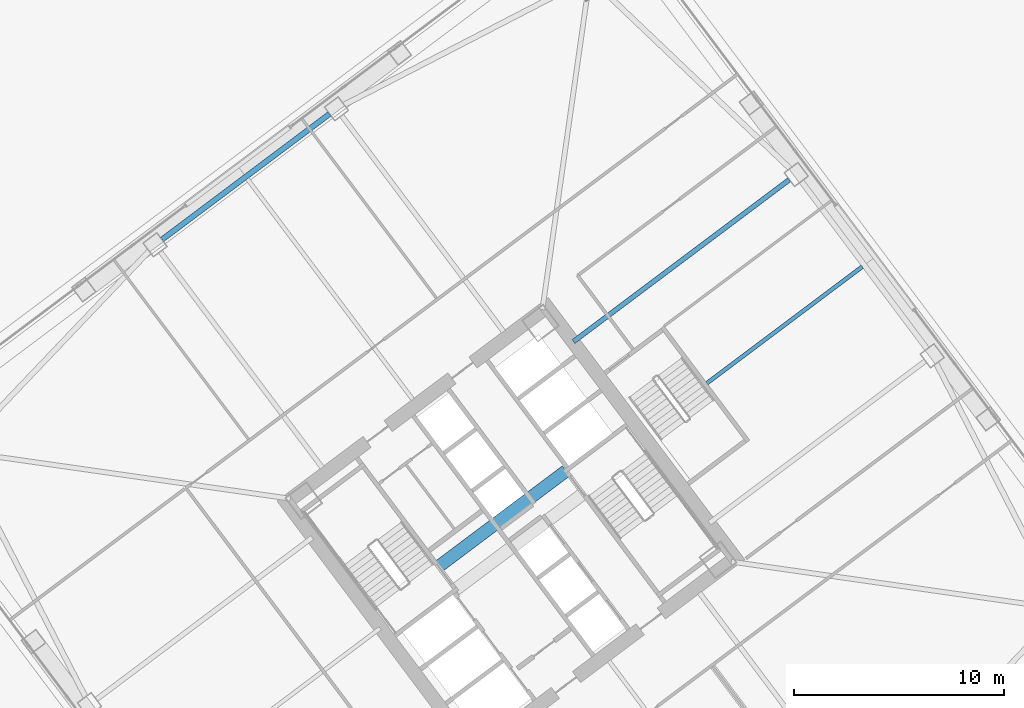
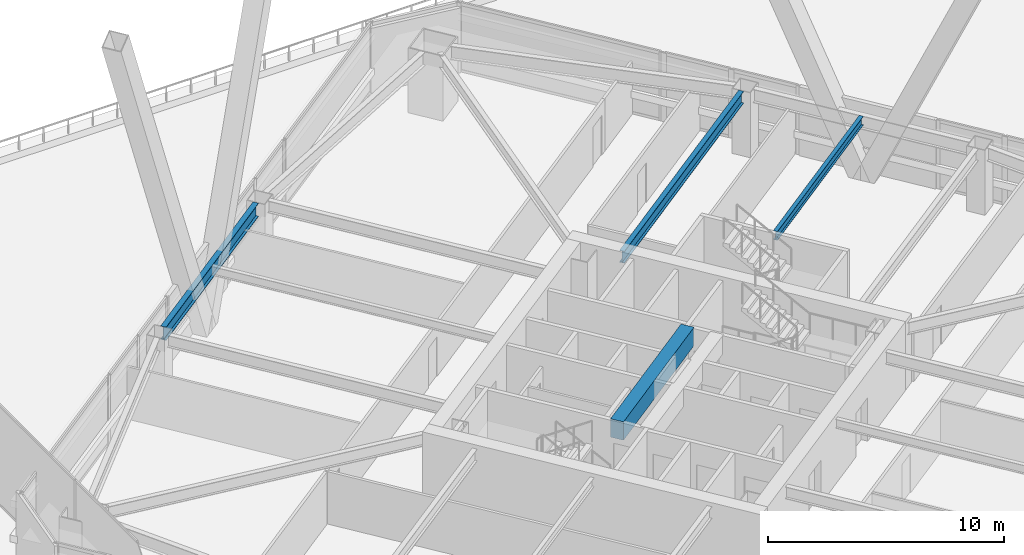
# One storey, part 52 of 83: 4 beams.
"""IFC4 building model written with IfcOpenShell, lengths in metres."""

from ifc_helpers import new_model, si_unit, direction, frame, origin, origin_2d, place, context, subcontext, project, spatial, rectangle, i_section, extrude, material, material_profile, profile_set, type_object, element, save


model = new_model("IFC4")

# Units and contexts
model_context = context("Model", 3, precision=1e-05, world=origin(), true_north=direction((0.0, 1.0)))
body_context = subcontext(model_context, "Body", "Model", "MODEL_VIEW")
ifc_project = project(units=[si_unit("LENGTHUNIT", "METRE"), si_unit("AREAUNIT", "SQUARE_METRE"), si_unit("VOLUMEUNIT", "CUBIC_METRE"), si_unit("PLANEANGLEUNIT", "RADIAN"), si_unit("MASSUNIT", "GRAM", prefix="KILO")], contexts=[model_context])

# Site, building, storey
site_placement = place(None, origin())
site = spatial("IfcSite", under=ifc_project, at=site_placement, CompositionType="ELEMENT")
building_placement = place(site_placement, origin())
building = spatial("IfcBuilding", under=site, at=building_placement, Name="Tashvorn Skyway Center", CompositionType="ELEMENT")
storey_placement = place(building_placement, frame((0.0, 0.0, 24.60009765625)))
storey = spatial("IfcBuildingStorey", under=building, at=storey_placement, Name="L05", CompositionType="ELEMENT", Elevation=24.60009765625)

# Beams
ifc_material_1 = material(Name="Steel ASTM A992 Grade 50", Category="steel")
ifc_material_profile_1 = material_profile(ifc_material_1, i_section(OverallWidth=0.22998046875, OverallDepth=0.616943359375, WebThickness=0.01318359375, FlangeThickness=0.022216796875, at=origin_2d()), Name="W24X94")
ifc_profile_set_1 = profile_set([ifc_material_profile_1], Name="Steel ASTM A992 Grade 50")
beam_type_1 = type_object("IfcBeamType", Name="BM-BEAM-W24X94", PredefinedType="BEAM", material=ifc_profile_set_1)
beam_1_placement = place(storey_placement, frame((127.263916015625, 48.697998046875, 3.04150390625), z_axis=(-0.800002279907, -0.599996960112, 0.0), x_axis=(0.599996960112, -0.800002279907, 0.0)))
element("IfcBeam", 1, at=beam_1_placement, inside=storey, type_object=beam_type_1, Name="Tower 2 L05 Primary Floor Girder FC-E2", PredefinedType="BEAM", context=body_context, shape_type="SweptSolid", body=[
    extrude(i_section(OverallWidth=0.22998046875, OverallDepth=0.616943359375, WebThickness=0.01318359375, FlangeThickness=0.022216796875, at=origin_2d()), origin(), (0.0, 0.0, 1.0), 12.85009765625),
])
ifc_material_profile_2 = material_profile(ifc_material_1, i_section(OverallWidth=0.19091796875, OverallDepth=0.4599609375, WebThickness=0.010009765625, FlangeThickness=0.01611328125, at=origin_2d()), Name="W18X55")
ifc_profile_set_2 = profile_set([ifc_material_profile_2], Name="Steel ASTM A992 Grade 50")
beam_type_2 = type_object("IfcBeamType", Name="BM-JOIST-W18X55", PredefinedType="JOIST", material=ifc_profile_set_2)
beam_2_placement = place(storey_placement, frame((123.3359375, 39.001953125, 3.119873046875), z_axis=(0.799990508532, 0.600012655082, 0.0), x_axis=(-0.600012655082, 0.799990508532, 0.0)))
element("IfcBeam", 2, at=beam_2_placement, inside=storey, type_object=beam_type_2, Name="Tower 2 L05 Secondary Composite Joist JE", PredefinedType="JOIST", context=body_context, shape_type="SweptSolid", body=[
    extrude(i_section(OverallWidth=0.19091796875, OverallDepth=0.4599609375, WebThickness=0.010009765625, FlangeThickness=0.01611328125, at=origin_2d()), origin(), (0.0, 0.0, 1.0), 9.260009765625),
])
ifc_material_2 = material(Name="Concrete C60/75", Category="concrete")
ifc_material_profile_3 = material_profile(ifc_material_2, rectangle(XDim=0.60009765625, YDim=0.949951171875, at=origin_2d()), Name="RCB600x950")
ifc_profile_set_3 = profile_set([ifc_material_profile_3], Name="Concrete C60/75")
beam_type_3 = type_object("IfcBeamType", Name="BM-LINTEL-RCB600x950", PredefinedType="LINTEL", material=ifc_profile_set_3)
beam_3_placement = place(storey_placement, frame((110.552001953125, 30.263916015625, 2.875), z_axis=(0.8, 0.6, 0.0), x_axis=(-0.6, 0.8, 0.0)))
element("IfcBeam", 3, at=beam_3_placement, inside=storey, type_object=beam_type_3, Name="Tower 2 L05 Core Coupling Beam CN", PredefinedType="LINTEL", context=body_context, shape_type="SweptSolid", body=[
    extrude(rectangle(XDim=0.60009765625, YDim=0.949951171875, at=origin_2d()), origin(), (0.0, 0.0, 1.0), 7.60009765625),
])
ifc_material_profile_4 = material_profile(ifc_material_1, i_section(OverallWidth=0.256103515625, OverallDepth=0.693115234375, WebThickness=0.014404296875, FlangeThickness=0.023681640625, at=origin_2d()), Name="W27X114")
ifc_profile_set_4 = profile_set([ifc_material_profile_4], Name="Steel ASTM A992 Grade 50")
beam_type_4 = type_object("IfcBeamType", Name="BM-SPANDREL-W27X114", PredefinedType="SPANDREL", material=ifc_profile_set_4)
beam_4_placement = place(storey_placement, frame((105.35400390625, 51.827880859375, 3.00341796875), z_axis=(-0.800008824351, -0.599988234018, 0.0), x_axis=(0.599988234018, -0.800008824351, 0.0)))
element("IfcBeam", 4, at=beam_4_placement, inside=storey, type_object=beam_type_4, Name="Tower 2 L05 Spandrel Beam 08", PredefinedType="SPANDREL", context=body_context, shape_type="SweptSolid", body=[
    extrude(i_section(OverallWidth=0.256103515625, OverallDepth=0.693115234375, WebThickness=0.014404296875, FlangeThickness=0.023681640625, at=origin_2d()), origin(), (0.0, 0.0, 1.0), 9.9599609375),
])

save(model, "model.ifc")
